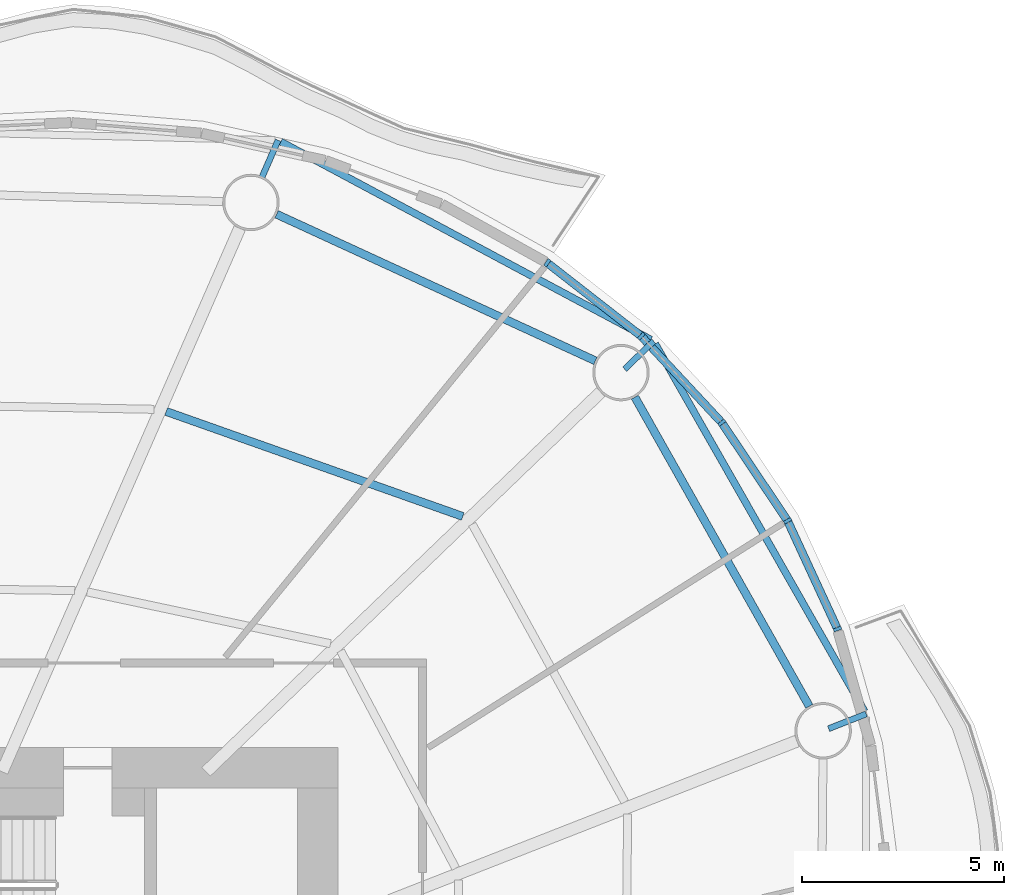
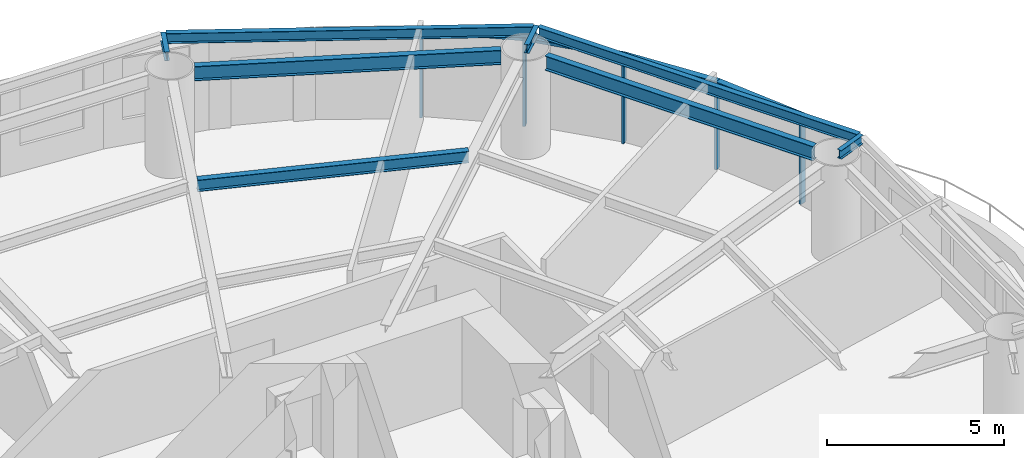
# One storey, part 6 of 14: 9 members, 8 beams, 4 elements without a shape of their own.
"""IFC4 building model written with IfcOpenShell, lengths in metres."""

from ifc_helpers import new_model, si_unit, direction, frame, origin, origin_2d, place, context, subcontext, project, spatial, rectangle, i_section, extrude, material, material_profile, profile_set, type_object, element, aggregate, save


model = new_model("IFC4")

# Units and contexts
model_context = context("Model", 3, precision=1e-05, world=origin(), true_north=direction((0.0, 1.0)))
body_context = subcontext(model_context, "Body", "Model", "MODEL_VIEW")
ifc_project = project(units=[si_unit("LENGTHUNIT", "METRE"), si_unit("AREAUNIT", "SQUARE_METRE"), si_unit("VOLUMEUNIT", "CUBIC_METRE"), si_unit("PLANEANGLEUNIT", "RADIAN"), si_unit("MASSUNIT", "GRAM", prefix="KILO")], contexts=[model_context])

# Site, building, storey
site_placement = place(None, origin())
site = spatial("IfcSite", under=ifc_project, at=site_placement, CompositionType="ELEMENT")
building_placement = place(site_placement, origin())
building = spatial("IfcBuilding", under=site, at=building_placement, Name="Vermilion Reach Broadcast Tower", CompositionType="ELEMENT")
storey_placement = place(building_placement, frame((0.0, 0.0, 186.60009765625)))
storey = spatial("IfcBuildingStorey", under=building, at=storey_placement, Name="L45", CompositionType="ELEMENT", Elevation=186.60009765625)

# Beams
ifc_material_1 = material(Name="Steel S355J2", Category="steel")
ifc_material_profile_1 = material_profile(ifc_material_1, i_section(OverallWidth=0.175048828125, OverallDepth=0.35009765625, WebThickness=0.007080078125, FlangeThickness=0.010986328125, at=origin_2d()), Name="S355J2 HN 350x175x7x11")
ifc_profile_set_1 = profile_set([ifc_material_profile_1], Name="Steel S355J2")
beam_type_1 = type_object("IfcBeamType", Name="EB3 HN 350x175x7x11", PredefinedType="BEAM", material=ifc_profile_set_1)
beam_1_placement = place(storey_placement, frame((13.7666015625, 19.119384765625, 3.224853515625), z_axis=(-0.88173360956, 0.471747646281, 0.0), x_axis=(-0.471747646281, -0.88173360956, 0.0)))
element("IfcBeam", 1, at=beam_1_placement, inside=storey, type_object=beam_type_1, Name="Edge beam EB3-01", PredefinedType="BEAM", context=body_context, shape_type="SweptSolid", body=[
    extrude(i_section(OverallWidth=0.175048828125, OverallDepth=0.35009765625, WebThickness=0.007080078125, FlangeThickness=0.010986328125, at=origin_2d()), origin(), (0.0, 0.0, 1.0), 10.412109375),
])
beam_2_placement = place(storey_placement, frame((19.0693359375, 9.900146484375, 3.224853515625), z_axis=(-0.495161240221, 0.86880109702, 0.0), x_axis=(-0.86880109702, -0.495161240221, 0.0)))
element("IfcBeam", 2, at=beam_2_placement, inside=storey, type_object=beam_type_1, Name="Edge beam EB3-16", PredefinedType="BEAM", context=body_context, shape_type="SweptSolid", body=[
    extrude(i_section(OverallWidth=0.175048828125, OverallDepth=0.35009765625, WebThickness=0.007080078125, FlangeThickness=0.010986328125, at=origin_2d()), origin(), (0.0, 0.0, 1.0), 10.4912109375),
])
ifc_material_2 = material(Name="Steel S355J2", Category="steel")
ifc_material_profile_2 = material_profile(ifc_material_2, i_section(OverallWidth=0.14990234375, OverallDepth=0.300048828125, WebThickness=0.006591796875, FlangeThickness=0.009033203125, at=origin_2d()), Name="S355J2 HN 300x150x6.5x9")
ifc_profile_set_2 = profile_set([ifc_material_profile_2], Name="Steel S355J2")
beam_type_2 = type_object("IfcBeamType", Name="GS3 HN 300x150x6.5x9", PredefinedType="BEAM", material=ifc_profile_set_2)
beam_3_placement = place(storey_placement, frame((13.115478515625, 18.388916015625, 3.25), z_axis=(0.720767376164, 0.69317702606, 0.0), x_axis=(-0.69317702606, 0.720767376164, 0.0)))
element("IfcBeam", 3, at=beam_3_placement, inside=storey, type_object=beam_type_2, Name="Cantilever stub GS3-01", PredefinedType="BEAM", context=body_context, shape_type="SweptSolid", body=[
    extrude(i_section(OverallWidth=0.14990234375, OverallDepth=0.300048828125, WebThickness=0.006591796875, FlangeThickness=0.009033203125, at=origin_2d()), origin(), (0.0, 0.0, 1.0), 1.0),
])
beam_4_placement = place(storey_placement, frame((4.118896484375, 23.150390625, 3.25), z_axis=(0.40053712145, 0.916280532556, 0.0), x_axis=(-0.916280532556, 0.40053712145, 0.0)))
element("IfcBeam", 4, at=beam_4_placement, inside=storey, type_object=beam_type_2, Name="Cantilever stub GS3-02", PredefinedType="BEAM", context=body_context, shape_type="SweptSolid", body=[
    extrude(i_section(OverallWidth=0.14990234375, OverallDepth=0.300048828125, WebThickness=0.006591796875, FlangeThickness=0.009033203125, at=origin_2d()), origin(), (0.0, 0.0, 1.0), 1.000244140625),
])
beam_5_placement = place(storey_placement, frame((18.17578125, 9.469482421875, 3.25), z_axis=(0.931113051526, 0.364730702407, 0.0), x_axis=(-0.364730702407, 0.931113051526, 0.0)))
element("IfcBeam", 5, at=beam_5_placement, inside=storey, type_object=beam_type_2, Name="Cantilever stub GS3-16", PredefinedType="BEAM", context=body_context, shape_type="SweptSolid", body=[
    extrude(i_section(OverallWidth=0.14990234375, OverallDepth=0.300048828125, WebThickness=0.006591796875, FlangeThickness=0.009033203125, at=origin_2d()), origin(), (0.0, 0.0, 1.0), 1.0),
])
ifc_material_3 = material(Name="Steel S355J2", Category="steel")
ifc_material_profile_3 = material_profile(ifc_material_3, i_section(OverallWidth=0.199951171875, OverallDepth=0.5, WebThickness=0.010009765625, FlangeThickness=0.01611328125, at=origin_2d()), Name="S355J2 HN 500x200x10x16")
ifc_profile_set_3 = profile_set([ifc_material_profile_3], Name="Steel S355J2")
beam_type_3 = type_object("IfcBeamType", Name="RB3 HN 500x200x10x16", PredefinedType="BEAM", material=ifc_profile_set_3)
beam_6_placement = place(storey_placement, frame((12.389892578125, 18.594970703125, 3.14990234375), z_axis=(-0.908546241769, 0.417784306272, 0.0), x_axis=(-0.417784306272, -0.908546241769, 0.0)))
element("IfcBeam", 6, at=beam_6_placement, inside=storey, type_object=beam_type_3, Name="Ring beam RB3-01", PredefinedType="BEAM", context=body_context, shape_type="SweptSolid", body=[
    extrude(i_section(OverallWidth=0.199951171875, OverallDepth=0.5, WebThickness=0.010009765625, FlangeThickness=0.01611328125, at=origin_2d()), origin(), (0.0, 0.0, 1.0), 8.704833984375),
])
beam_7_placement = place(storey_placement, frame((17.696533203125, 10.026123046875, 3.14990234375), z_axis=(-0.491466825026, 0.870896296869, 0.0), x_axis=(-0.870896296869, -0.491466825026, 0.0)))
element("IfcBeam", 7, at=beam_7_placement, inside=storey, type_object=beam_type_3, Name="Ring beam RB3-16", PredefinedType="BEAM", context=body_context, shape_type="SweptSolid", body=[
    extrude(i_section(OverallWidth=0.199951171875, OverallDepth=0.5, WebThickness=0.010009765625, FlangeThickness=0.01611328125, at=origin_2d()), origin(), (0.0, 0.0, 1.0), 8.803466796875),
])
ifc_material_4 = material(Name="Steel S355J2", Category="steel")
ifc_material_profile_4 = material_profile(ifc_material_4, i_section(OverallWidth=0.199951171875, OverallDepth=0.39990234375, WebThickness=0.008056640625, FlangeThickness=0.012939453125, at=origin_2d()), Name="S355J2 HN 400x200x8x13")
ifc_profile_set_4 = profile_set([ifc_material_profile_4], Name="Steel S355J2")
beam_type_4 = type_object("IfcBeamType", Name="SB3 HN 400x200x8x13", PredefinedType="BEAM", material=ifc_profile_set_4)
beam_8_placement = place(storey_placement, frame((9.10009765625, 14.734130859375, 3.199951171875), z_axis=(-0.942694879049, 0.333656057961, 0.0), x_axis=(-0.333656057961, -0.942694879049, 0.0)))
element("IfcBeam", 8, at=beam_8_placement, inside=storey, type_object=beam_type_4, Name="Secondary beam SB3-01-2", PredefinedType="BEAM", context=body_context, shape_type="SweptSolid", body=[
    extrude(i_section(OverallWidth=0.199951171875, OverallDepth=0.39990234375, WebThickness=0.008056640625, FlangeThickness=0.012939453125, at=origin_2d()), origin(), (0.0, 0.0, 1.0), 7.80517578125),
])

# Curtain wall, member
ifc_material_5 = material(Name="Low-e laminated clear glass in aluminium frame", Category="aluminium")
curtain_wall_type = type_object("IfcCurtainWallType", Name="Slot curtain wall", PredefinedType="NOTDEFINED", material=ifc_material_5)
placement = place(storey_placement, origin())
curtain_wall_1 = element("IfcCurtainWall", 9, at=placement, inside=storey, type_object=curtain_wall_type, Name="Slot curtain wall L45 46", PredefinedType="NOTDEFINED")
ifc_material_6 = material(Name="Anodised aluminium", Category="aluminium")
ifc_material_profile_5 = material_profile(ifc_material_6, rectangle(XDim=0.199951171875, YDim=0.080078125, at=origin_2d()), Name="Slot mullion 80 x 200")
ifc_profile_set_5 = profile_set([ifc_material_profile_5], Name="Anodised aluminium")
member_type_1 = type_object("IfcMemberType", Name="Slot mullion 80 x 200", PredefinedType="MULLION", material=ifc_profile_set_5)
member_1_placement = place(storey_placement, frame((18.39599609375, 11.9404296875, 0.0), z_axis=(0.0, 0.0, 1.0), x_axis=(-0.937728009906, -0.347370377894, 0.0)))
member_1 = element("IfcMember", 10, at=member_1_placement, type_object=member_type_1, Name="Slot mullion L45 46", PredefinedType="MULLION", context=body_context, shape_type="SweptSolid", body=[
    extrude(rectangle(XDim=0.199951171875, YDim=0.080078125, at=origin_2d()), origin(), (0.0, 0.0, 1.0), 3.0498046875),
])

curtain_wall_2 = element("IfcCurtainWall", 11, at=placement, inside=storey, type_object=curtain_wall_type, Name="Slot curtain wall L45 47", PredefinedType="NOTDEFINED")
member_2_placement = place(storey_placement, frame((17.157958984375, 14.625732421875, 0.0), z_axis=(0.0, 0.0, 1.0), x_axis=(-0.872145119132, -0.489247269971, 0.0)))
member_2 = element("IfcMember", 12, at=member_2_placement, type_object=member_type_1, Name="Slot mullion L45 47", PredefinedType="MULLION", context=body_context, shape_type="SweptSolid", body=[
    extrude(rectangle(XDim=0.199951171875, YDim=0.080078125, at=origin_2d()), origin(), (0.0, 0.0, 1.0), 3.0498046875),
])

curtain_wall_3 = element("IfcCurtainWall", 13, at=placement, inside=storey, type_object=curtain_wall_type, Name="Slot curtain wall L45 00", PredefinedType="NOTDEFINED")
member_3_placement = place(storey_placement, frame((15.52587890625, 17.061279296875, 0.0), z_axis=(0.0, 0.0, 1.0), x_axis=(-0.783693460708, -0.621147776011, 0.0)))
member_3 = element("IfcMember", 14, at=member_3_placement, type_object=member_type_1, Name="Slot mullion L45 00", PredefinedType="MULLION", context=body_context, shape_type="SweptSolid", body=[
    extrude(rectangle(XDim=0.199951171875, YDim=0.080078125, at=origin_2d()), origin(), (0.0, 0.0, 1.0), 3.0498046875),
])

# Curtain wall, members
curtain_wall_4 = element("IfcCurtainWall", 15, at=placement, inside=storey, type_object=curtain_wall_type, Name="Slot curtain wall L45 01", PredefinedType="NOTDEFINED")
member_4_placement = place(storey_placement, frame((13.52734375, 19.206298828125, 0.0), z_axis=(0.0, 0.0, 1.0), x_axis=(-0.675475934355, -0.737382032672, 0.0)))
member_4 = element("IfcMember", 16, at=member_4_placement, type_object=member_type_1, Name="Slot mullion L45 01", PredefinedType="MULLION", context=body_context, shape_type="SweptSolid", body=[
    extrude(rectangle(XDim=0.199951171875, YDim=0.080078125, at=origin_2d()), origin(), (0.0, 0.0, 1.0), 3.0498046875),
])
member_5_placement = place(storey_placement, frame((11.196044921875, 21.02490234375, 0.0), z_axis=(0.0, 0.0, 1.0), x_axis=(-0.552323362647, -0.83362995572, 0.0)))
member_5 = element("IfcMember", 17, at=member_5_placement, type_object=member_type_1, Name="Slot mullion L45 02", PredefinedType="MULLION", context=body_context, shape_type="SweptSolid", body=[
    extrude(rectangle(XDim=0.199951171875, YDim=0.080078125, at=origin_2d()), origin(), (0.0, 0.0, 1.0), 3.0498046875),
])

# Member
ifc_material_7 = material(Name="Anodised aluminium", Category="aluminium")
ifc_material_profile_6 = material_profile(ifc_material_7, rectangle(XDim=0.199951171875, YDim=0.10009765625, at=origin_2d()), Name="Slot transom 200 x 100")
ifc_profile_set_6 = profile_set([ifc_material_profile_6], Name="Anodised aluminium")
member_type_2 = type_object("IfcMemberType", Name="Slot transom 200 x 100", PredefinedType="USERDEFINED", material=ifc_profile_set_6)
member_6_placement = place(storey_placement, frame((18.37939453125, 11.976806640625, 3.0), z_axis=(-0.418783708915, 0.908086011976, 0.0), x_axis=(-0.908086011976, -0.418783708915, 0.0)))
member_6 = element("IfcMember", 18, at=member_6_placement, type_object=member_type_2, Name="Slot transom L45 46.1", ObjectType="TRANSOM", PredefinedType="USERDEFINED", context=body_context, shape_type="SweptSolid", body=[
    extrude(rectangle(XDim=0.199951171875, YDim=0.10009765625, at=origin_2d()), origin(), (0.0, 0.0, 1.0), 2.876953125),
])

aggregate(curtain_wall_1, [member_1, member_6])

member_7_placement = place(storey_placement, frame((17.135498046875, 14.658935546875, 3.0), z_axis=(-0.556674383212, 0.830730781346, 0.0), x_axis=(-0.830730781346, -0.556674383212, 0.0)))
member_7 = element("IfcMember", 19, at=member_7_placement, type_object=member_type_2, Name="Slot transom L45 47.1", ObjectType="TRANSOM", PredefinedType="USERDEFINED", context=body_context, shape_type="SweptSolid", body=[
    extrude(rectangle(XDim=0.199951171875, YDim=0.10009765625, at=origin_2d()), origin(), (0.0, 0.0, 1.0), 2.8515625),
])

aggregate(curtain_wall_2, [member_2, member_7])

member_8_placement = place(storey_placement, frame((15.49853515625, 17.09033203125, 3.0), z_axis=(-0.681622491883, 0.731704023878, 0.0), x_axis=(-0.731704023878, -0.681622491883, 0.0)))
member_8 = element("IfcMember", 20, at=member_8_placement, type_object=member_type_2, Name="Slot transom L45 00.1", ObjectType="TRANSOM", PredefinedType="USERDEFINED", context=body_context, shape_type="SweptSolid", body=[
    extrude(rectangle(XDim=0.199951171875, YDim=0.10009765625, at=origin_2d()), origin(), (0.0, 0.0, 1.0), 2.851806640625),
])

aggregate(curtain_wall_3, [member_3, member_8])

member_9_placement = place(storey_placement, frame((13.495849609375, 19.230712890625, 3.0), z_axis=(-0.788460326534, 0.615085614758, 0.0), x_axis=(-0.615085614758, -0.788460326534, 0.0)))
member_9 = element("IfcMember", 21, at=member_9_placement, type_object=member_type_2, Name="Slot transom L45 01.1", ObjectType="TRANSOM", PredefinedType="USERDEFINED", context=body_context, shape_type="SweptSolid", body=[
    extrude(rectangle(XDim=0.199951171875, YDim=0.10009765625, at=origin_2d()), origin(), (0.0, 0.0, 1.0), 2.876953125),
])

aggregate(curtain_wall_4, [member_4, member_5, member_9])

save(model, "model.ifc")
